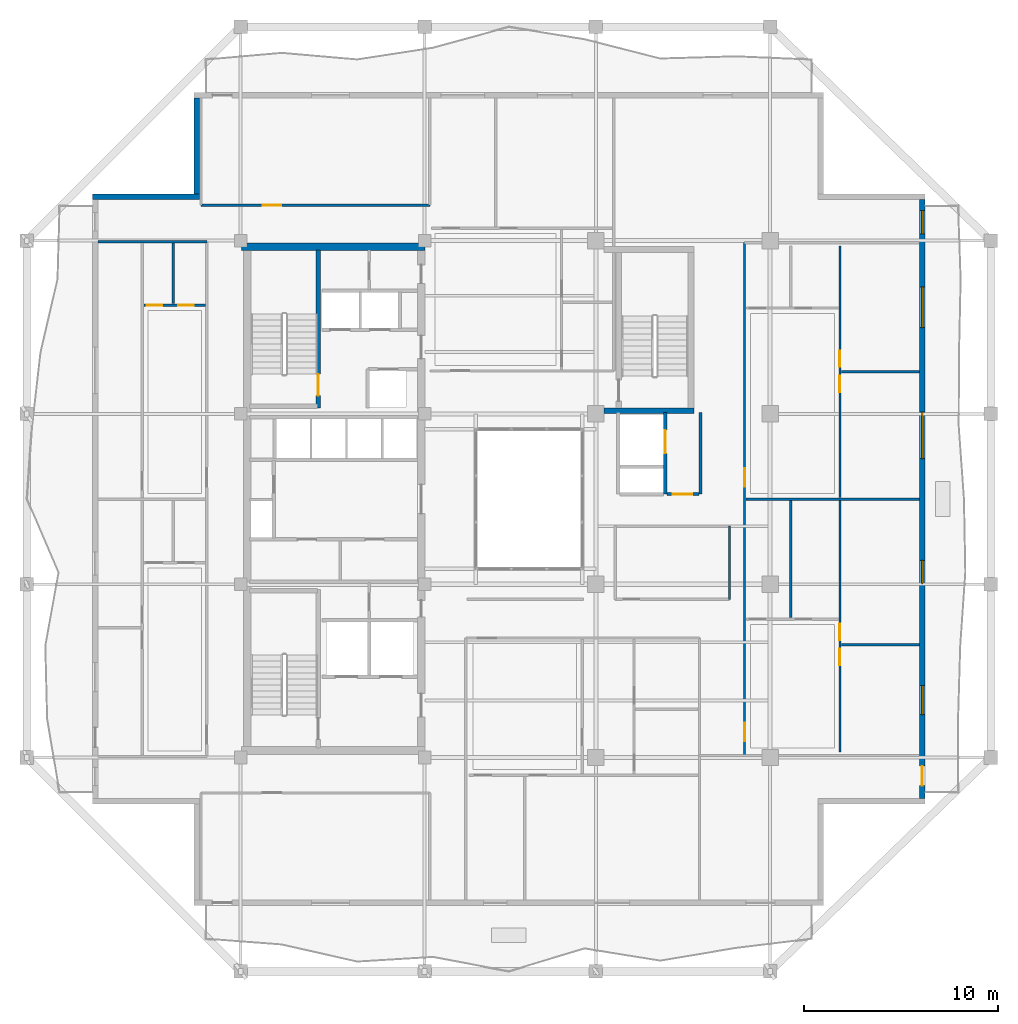
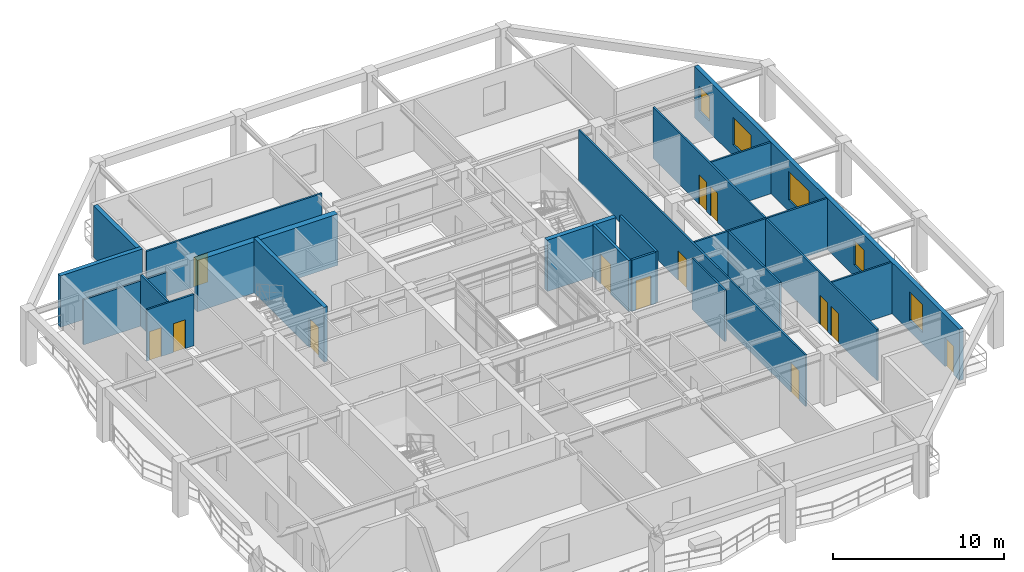
# One storey, part 8 of 15: 21 walls, 13 doors, 5 windows, 18 openings.
"""IFC4 building model written with IfcOpenShell, lengths in metres."""

from ifc_helpers import new_model, si_unit, direction, frame, frame_2d, origin, place, context, subcontext, project, spatial, rectangle, extrude, material, layer, layer_set, type_object, element, fill, save


model = new_model("IFC4")

# Units and contexts
model_context = context("Model", 3, precision=1e-05, world=origin(), true_north=direction((0.0, 1.0)))
body_context = subcontext(model_context, "Body", "Model", "MODEL_VIEW")
ifc_project = project(units=[si_unit("LENGTHUNIT", "METRE"), si_unit("AREAUNIT", "SQUARE_METRE"), si_unit("VOLUMEUNIT", "CUBIC_METRE"), si_unit("PLANEANGLEUNIT", "RADIAN"), si_unit("MASSUNIT", "GRAM", prefix="KILO")], contexts=[model_context])

# Site, building, storey
site_placement = place(None, origin())
site = spatial("IfcSite", under=ifc_project, at=site_placement, CompositionType="ELEMENT")
building_placement = place(site_placement, origin())
building = spatial("IfcBuilding", under=site, at=building_placement, Name="Kundavana Baori Tower", CompositionType="ELEMENT")
storey_placement = place(building_placement, frame((0.0, 0.0, 214.10009765625)))
storey = spatial("IfcBuildingStorey", under=building, at=storey_placement, Name="L52", CompositionType="ELEMENT", Elevation=214.10009765625)

# Wall
ifc_material_1 = material(Name="Concrete C50/60", Category="concrete")
ifc_layer_1 = layer(ifc_material_1, 0.39990234375, Name="WL-CORE-400")
ifc_layer_set_1 = layer_set([ifc_layer_1], Name="Concrete C50/60")
wall_type_1 = type_object("IfcWallType", Name="WL-CORE-400", PredefinedType="SHEAR", material=ifc_layer_set_1)
wall_1_placement = place(storey_placement, frame((15.5, 41.639892578125, 0.0), z_axis=(0.0, 0.0, 1.0), x_axis=(1.0, 0.0, 0.0)))
element("IfcWall", 1, at=wall_1_placement, inside=storey, type_object=wall_type_1, Name="L52 Offset Core North Shear Wall", PredefinedType="SHEAR", context=body_context, shape_type="SweptSolid", body=[
    extrude(rectangle(XDim=9.47998046875, YDim=0.39990234375, at=frame_2d((4.739990234375, 0.0))), origin(), (0.0, 0.0, 1.0), 3.659912109375),
])

# Wall, opening, door
wall_2_placement = place(storey_placement, frame((19.4599609375, 33.300048828125, 0.0), z_axis=(0.0, 0.0, 1.0), x_axis=(0.0, 1.0, 0.0)))
wall_2 = element("IfcWall", 2, at=wall_2_placement, inside=storey, type_object=wall_type_1, Name="WL-L52-ST2-E", PredefinedType="SHEAR", context=body_context, shape_type="SweptSolid", body=[
    extrude(rectangle(XDim=8.179931640625, YDim=0.239990234375, at=frame_2d((4.08984375, 0.0))), origin(), (0.0, 0.0, 1.0), 3.89990234375),
])
opening_1_placement = place(wall_2_placement, frame((0.64990234375, 0.0, 0.0)))
opening_1 = element("IfcOpeningElement", 3, at=opening_1_placement, cuts=wall_2, Name="Opening FD-110", PredefinedType="OPENING", context=body_context, shape_type="SweptSolid", body=[
    extrude(rectangle(XDim=1.10009765625, YDim=2.10009765625, at=frame_2d((0.550048828125, 1.050048828125))), frame((0.0, 0.1298828125, 0.0), z_axis=(0.0, -1.0, 0.0), x_axis=(1.0, 0.0, 0.0)), (0.0, 0.0, 1.0), 0.260009765625),
])
ifc_material_2 = material(Name="Galvanised Steel Fire-Rated Door Leaf", Category="steel")
door_type_1 = type_object("IfcDoorType", Name="DR-FD120-1100", OperationType="NOTDEFINED", PredefinedType="DOOR", material=ifc_material_2)
door_1_placement = place(opening_1_placement, origin())
door_1 = element("IfcDoor", 4, at=door_1_placement, inside=storey, type_object=door_type_1, Name="DR-L52-ST2", OperationType="SINGLE_SWING_RIGHT", OverallHeight=2.10009765625, OverallWidth=1.10009765625, PredefinedType="DOOR", context=body_context, shape_type="SweptSolid", body=[
    extrude(rectangle(XDim=1.10009765625, YDim=2.10009765625, at=frame_2d((0.550048828125, 1.050048828125))), frame((0.0, 0.02490234375, 0.0), z_axis=(0.0, -1.0, 0.0), x_axis=(1.0, 0.0, 0.0)), (0.0, 0.0, 1.0), 0.050048828125),
])
fill(opening_1, door_1)

# Wall, openings, door, windows
ifc_material_3 = material(Name="Red-Buff Dholpur Sandstone Cladding on Concrete C40/50", Category="masonry")
ifc_layer_2 = layer(ifc_material_3, 0.280029296875, Name="WL-EXT-SAND-280")
ifc_layer_set_2 = layer_set([ifc_layer_2], Name="Red-Buff Dholpur Sandstone Cladding on Concrete C40/50")
wall_type_2 = type_object("IfcWallType", Name="WL-EXT-SAND-280", PredefinedType="STANDARD", material=ifc_layer_set_2)
wall_3_placement = place(storey_placement, frame((50.659912109375, 13.1298828125, 0.0), z_axis=(0.0, 0.0, 1.0), x_axis=(0.0, 1.0, 0.0)))
wall_3 = element("IfcWall", 5, at=wall_3_placement, inside=storey, type_object=wall_type_2, Name="L52 Exterior Insulated Facade Wall 04", PredefinedType="STANDARD", context=body_context, shape_type="SweptSolid", body=[
    extrude(rectangle(XDim=30.940185546875, YDim=0.280029296875, at=frame_2d((15.47021484375, 0.0))), origin(), (0.0, 0.0, 1.0), 3.659912109375),
])
opening_2_placement = place(wall_3_placement, frame((0.669921875, 0.0, 0.0)))
opening_2 = element("IfcOpeningElement", 6, at=opening_2_placement, cuts=wall_3, Name="Opening BD-1", PredefinedType="OPENING", context=body_context, shape_type="SweptSolid", body=[
    extrude(rectangle(XDim=1.0, YDim=2.050048828125, at=frame_2d((0.5, 1.02490234375))), frame((0.0, 0.14990234375, 0.0), z_axis=(0.0, -1.0, 0.0), x_axis=(1.0, 0.0, 0.0)), (0.0, 0.0, 1.0), 0.300048828125),
])
opening_3_placement = place(wall_3_placement, frame((4.330078125, 0.0, 0.800048828125)))
opening_3 = element("IfcOpeningElement", 7, at=opening_3_placement, cuts=wall_3, Name="Opening W-02", PredefinedType="OPENING", context=body_context, shape_type="SweptSolid", body=[
    extrude(rectangle(XDim=1.5, YDim=2.0, at=frame_2d((0.75, 1.0))), frame((0.0, 0.14990234375, 0.0), z_axis=(0.0, -1.0, 0.0), x_axis=(1.0, 0.0, 0.0)), (0.0, 0.0, 1.0), 0.300048828125),
])
opening_4_placement = place(wall_3_placement, frame((11.10498046875, 0.0, 0.800048828125)))
opening_4 = element("IfcOpeningElement", 8, at=opening_4_placement, cuts=wall_3, Name="Opening W-03", PredefinedType="OPENING", context=body_context, shape_type="SweptSolid", body=[
    extrude(rectangle(XDim=1.199951171875, YDim=1.75, at=frame_2d((0.60009765625, 0.875))), frame((0.0, 0.14990234375, 0.0), z_axis=(0.0, -1.0, 0.0), x_axis=(1.0, 0.0, 0.0)), (0.0, 0.0, 1.0), 0.300048828125),
])
opening_5_placement = place(wall_3_placement, frame((17.55810546875, 0.0, 0.800048828125)))
opening_5 = element("IfcOpeningElement", 9, at=opening_5_placement, cuts=wall_3, Name="Opening W-04", PredefinedType="OPENING", context=body_context, shape_type="SweptSolid", body=[
    extrude(rectangle(XDim=2.39990234375, YDim=2.050048828125, at=frame_2d((1.199951171875, 1.02490234375))), frame((0.0, 0.14990234375, 0.0), z_axis=(0.0, -1.0, 0.0), x_axis=(1.0, 0.0, 0.0)), (0.0, 0.0, 1.0), 0.300048828125),
])
opening_6_placement = place(wall_3_placement, frame((24.33203125, 0.0, 0.800048828125)))
opening_6 = element("IfcOpeningElement", 10, at=opening_6_placement, cuts=wall_3, Name="Opening W-05", PredefinedType="OPENING", context=body_context, shape_type="SweptSolid", body=[
    extrude(rectangle(XDim=2.10009765625, YDim=1.949951171875, at=frame_2d((1.050048828125, 0.97509765625))), frame((0.0, 0.14990234375, 0.0), z_axis=(0.0, -1.0, 0.0), x_axis=(1.0, 0.0, 0.0)), (0.0, 0.0, 1.0), 0.300048828125),
])
opening_7_placement = place(wall_3_placement, frame((29.175048828125, 0.0, 0.800048828125)))
opening_7 = element("IfcOpeningElement", 11, at=opening_7_placement, cuts=wall_3, Name="Opening W-03", PredefinedType="OPENING", context=body_context, shape_type="SweptSolid", body=[
    extrude(rectangle(XDim=1.199951171875, YDim=1.75, at=frame_2d((0.60009765625, 0.875))), frame((0.0, 0.14990234375, 0.0), z_axis=(0.0, -1.0, 0.0), x_axis=(1.0, 0.0, 0.0)), (0.0, 0.0, 1.0), 0.300048828125),
])
ifc_material_4 = material(Name="Architectural Patinated Bronze Metalwork")
door_type_2 = type_object("IfcDoorType", Name="DR-EXT-LOG-1000", OperationType="NOTDEFINED", PredefinedType="DOOR", material=ifc_material_4)
door_2_placement = place(opening_2_placement, frame((1.0, 0.0, 0.0), z_axis=(0.0, 0.0, 1.0), x_axis=(-1.0, 0.0, 0.0)))
door_2 = element("IfcDoor", 12, at=door_2_placement, inside=storey, type_object=door_type_2, Name="L52 Loggia Balcony Access Door E", OperationType="SINGLE_SWING_RIGHT", OverallHeight=2.050048828125, OverallWidth=1.0, PredefinedType="DOOR", context=body_context, shape_type="SweptSolid", body=[
    extrude(rectangle(XDim=1.0, YDim=2.050048828125, at=frame_2d((0.5, 1.02490234375))), frame((0.0, 0.02490234375, 0.0), z_axis=(0.0, -1.0, 0.0), x_axis=(1.0, 0.0, 0.0)), (0.0, 0.0, 1.0), 0.050048828125),
])
fill(opening_2, door_2)
ifc_material_5 = material(Name="Double-Glazed Solar-Control Low-E Insulated Glass", Category="glass")
window_type_1 = type_object("IfcWindowType", Name="WIN-LOG-1200x1750", PartitioningType="SINGLE_PANEL", PredefinedType="WINDOW", material=ifc_material_5)
window_1_placement = place(opening_4_placement, origin())
window_1 = element("IfcWindow", 13, at=window_1_placement, inside=storey, type_object=window_type_1, Name="L52 Recessed Loggia Window E-3", OverallHeight=1.75, OverallWidth=1.199951171875, PartitioningType="SINGLE_PANEL", PredefinedType="WINDOW", context=body_context, shape_type="SweptSolid", body=[
    extrude(rectangle(XDim=1.199951171875, YDim=1.75, at=frame_2d((0.60009765625, 0.875))), frame((0.0, 0.030029296875, 0.0), z_axis=(0.0, -1.0, 0.0), x_axis=(1.0, 0.0, 0.0)), (0.0, 0.0, 1.0), 0.06005859375),
])
fill(opening_4, window_1)
window_2_placement = place(opening_7_placement, origin())
window_2 = element("IfcWindow", 14, at=window_2_placement, inside=storey, type_object=window_type_1, Name="L52 Recessed Loggia Window E-6", OverallHeight=1.75, OverallWidth=1.199951171875, PartitioningType="SINGLE_PANEL", PredefinedType="WINDOW", context=body_context, shape_type="SweptSolid", body=[
    extrude(rectangle(XDim=1.199951171875, YDim=1.75, at=frame_2d((0.60009765625, 0.875))), frame((0.0, 0.030029296875, 0.0), z_axis=(0.0, -1.0, 0.0), x_axis=(1.0, 0.0, 0.0)), (0.0, 0.0, 1.0), 0.06005859375),
])
fill(opening_7, window_2)
ifc_material_6 = material(Name="Double-Glazed Solar-Control Low-E Insulated Glass", Category="glass")
window_type_2 = type_object("IfcWindowType", Name="WIN-LOG-1500x2000", PartitioningType="SINGLE_PANEL", PredefinedType="WINDOW", material=ifc_material_6)
window_3_placement = place(opening_3_placement, origin())
window_3 = element("IfcWindow", 15, at=window_3_placement, inside=storey, type_object=window_type_2, Name="L52 Recessed Loggia Window E-2", OverallHeight=2.0, OverallWidth=1.5, PartitioningType="SINGLE_PANEL", PredefinedType="WINDOW", context=body_context, shape_type="SweptSolid", body=[
    extrude(rectangle(XDim=1.5, YDim=2.0, at=frame_2d((0.75, 1.0))), frame((0.0, 0.030029296875, 0.0), z_axis=(0.0, -1.0, 0.0), x_axis=(1.0, 0.0, 0.0)), (0.0, 0.0, 1.0), 0.06005859375),
])
fill(opening_3, window_3)
ifc_material_7 = material(Name="Double-Glazed Solar-Control Low-E Insulated Glass", Category="glass")
window_type_3 = type_object("IfcWindowType", Name="WIN-LOG-2100x1950", PartitioningType="SINGLE_PANEL", PredefinedType="WINDOW", material=ifc_material_7)
window_4_placement = place(opening_6_placement, origin())
window_4 = element("IfcWindow", 16, at=window_4_placement, inside=storey, type_object=window_type_3, Name="L52 Recessed Loggia Window E-5", OverallHeight=1.949951171875, OverallWidth=2.10009765625, PartitioningType="SINGLE_PANEL", PredefinedType="WINDOW", context=body_context, shape_type="SweptSolid", body=[
    extrude(rectangle(XDim=2.10009765625, YDim=1.949951171875, at=frame_2d((1.050048828125, 0.97509765625))), frame((0.0, 0.030029296875, 0.0), z_axis=(0.0, -1.0, 0.0), x_axis=(1.0, 0.0, 0.0)), (0.0, 0.0, 1.0), 0.06005859375),
])
fill(opening_6, window_4)
ifc_material_8 = material(Name="Double-Glazed Solar-Control Low-E Insulated Glass", Category="glass")
window_type_4 = type_object("IfcWindowType", Name="WIN-LOG-2400x2050", PartitioningType="SINGLE_PANEL", PredefinedType="WINDOW", material=ifc_material_8)
window_5_placement = place(opening_5_placement, origin())
window_5 = element("IfcWindow", 17, at=window_5_placement, inside=storey, type_object=window_type_4, Name="L52 Recessed Loggia Window E-4", OverallHeight=2.050048828125, OverallWidth=2.39990234375, PartitioningType="SINGLE_PANEL", PredefinedType="WINDOW", context=body_context, shape_type="SweptSolid", body=[
    extrude(rectangle(XDim=2.39990234375, YDim=2.050048828125, at=frame_2d((1.199951171875, 1.02490234375))), frame((0.0, 0.030029296875, 0.0), z_axis=(0.0, -1.0, 0.0), x_axis=(1.0, 0.0, 0.0)), (0.0, 0.0, 1.0), 0.06005859375),
])
fill(opening_5, window_5)

# Walls
wall_4_placement = place(storey_placement, frame((13.18994140625, 49.320068359375, 0.0), z_axis=(0.0, 0.0, 1.0), x_axis=(0.0, -1.0, 0.0)))
element("IfcWall", 18, at=wall_4_placement, inside=storey, type_object=wall_type_2, Name="L52 Exterior Insulated Facade Wall 08", PredefinedType="STANDARD", context=body_context, shape_type="SweptSolid", body=[
    extrude(rectangle(XDim=4.969970703125, YDim=0.280029296875, at=frame_2d((2.48486328125, 0.0))), origin(), (0.0, 0.0, 1.0), 3.659912109375),
])
wall_5_placement = place(storey_placement, frame((13.330078125, 44.2099609375, 0.0), z_axis=(0.0, 0.0, 1.0), x_axis=(-1.0, 0.0, 0.0)))
element("IfcWall", 19, at=wall_5_placement, inside=storey, type_object=wall_type_2, Name="L52 Exterior Insulated Facade Wall 09", PredefinedType="STANDARD", context=body_context, shape_type="SweptSolid", body=[
    extrude(rectangle(XDim=5.530029296875, YDim=0.280029296875, at=frame_2d((2.76513671875, 0.0))), origin(), (0.0, 0.0, 1.0), 3.659912109375),
])

# Wall, opening, door
ifc_material_9 = material(Name="Acoustic Gypsum Plasterboard on Galvanised Steel Studs", Category="steel")
ifc_layer_3 = layer(ifc_material_9, 0.1201171875, Name="WL-PART-120")
ifc_layer_set_3 = layer_set([ifc_layer_3], Name="Acoustic Gypsum Plasterboard on Galvanised Steel Studs")
wall_type_3 = type_object("IfcWallType", Name="WL-PART-120", PredefinedType="PARTITIONING", material=ifc_layer_set_3)
wall_6_placement = place(storey_placement, frame((13.39990234375, 43.780029296875, 0.0), z_axis=(0.0, 0.0, 1.0), x_axis=(1.0, 0.0, 0.0)))
wall_6 = element("IfcWall", 20, at=wall_6_placement, inside=storey, type_object=wall_type_3, Name="WL-L52-RNC", PredefinedType="PARTITIONING", context=body_context, shape_type="SweptSolid", body=[
    extrude(rectangle(XDim=11.820068359375, YDim=0.1201171875, at=frame_2d((5.91015625, 0.0))), origin(), (0.0, 0.0, 1.0), 3.659912109375),
])
opening_8_placement = place(wall_6_placement, frame((3.199951171875, 0.0, 0.0)))
opening_8 = element("IfcOpeningElement", 21, at=opening_8_placement, cuts=wall_6, Name="Opening ID-095", PredefinedType="OPENING", context=body_context, shape_type="SweptSolid", body=[
    extrude(rectangle(XDim=0.949951171875, YDim=2.080078125, at=frame_2d((0.47509765625, 1.0400390625))), frame((0.0, 0.070068359375, 0.0), z_axis=(0.0, -1.0, 0.0), x_axis=(1.0, 0.0, 0.0)), (0.0, 0.0, 1.0), 0.14013671875),
])
ifc_material_10 = material(Name="Engineered Teak Solid-Core Timber Veneer", Category="wood")
door_type_3 = type_object("IfcDoorType", Name="DR-INT-950", OperationType="NOTDEFINED", PredefinedType="DOOR", material=ifc_material_10)
door_3_placement = place(opening_8_placement, origin())
door_3 = element("IfcDoor", 22, at=door_3_placement, inside=storey, type_object=door_type_3, Name="DR-L52-RMNW", OperationType="SINGLE_SWING_RIGHT", OverallHeight=2.080078125, OverallWidth=0.949951171875, PredefinedType="DOOR", context=body_context, shape_type="SweptSolid", body=[
    extrude(rectangle(XDim=0.949951171875, YDim=2.080078125, at=frame_2d((0.47509765625, 1.0400390625))), frame((0.0, 0.02490234375, 0.0), z_axis=(0.0, -1.0, 0.0), x_axis=(1.0, 0.0, 0.0)), (0.0, 0.0, 1.0), 0.050048828125),
])
fill(opening_8, door_3)

# Wall
wall_7_placement = place(storey_placement, frame((8.080078125, 41.89990234375, 0.0), z_axis=(0.0, 0.0, 1.0), x_axis=(1.0, 0.0, 0.0)))
element("IfcWall", 23, at=wall_7_placement, inside=storey, type_object=wall_type_3, Name="WL-L52-RWN", PredefinedType="PARTITIONING", context=body_context, shape_type="SweptSolid", body=[
    extrude(rectangle(XDim=5.619873046875, YDim=0.1201171875, at=frame_2d((2.81005859375, 0.0))), origin(), (0.0, 0.0, 1.0), 3.2099609375),
])

# Wall, openings, doors
wall_8_placement = place(storey_placement, frame((41.47998046875, 15.35009765625, 0.0), z_axis=(0.0, 0.0, 1.0), x_axis=(0.0, 1.0, 0.0)))
wall_8 = element("IfcWall", 24, at=wall_8_placement, inside=storey, type_object=wall_type_3, Name="WL-L52-RE", PredefinedType="PARTITIONING", context=body_context, shape_type="SweptSolid", body=[
    extrude(rectangle(XDim=26.5, YDim=0.1201171875, at=frame_2d((13.25, 0.0))), origin(), (0.0, 0.0, 1.0), 3.659912109375),
])
opening_9_placement = place(wall_8_placement, frame((0.75, 0.0, 0.0)))
opening_9 = element("IfcOpeningElement", 25, at=opening_9_placement, cuts=wall_8, Name="Opening FD-095", PredefinedType="OPENING", context=body_context, shape_type="SweptSolid", body=[
    extrude(rectangle(XDim=0.949951171875, YDim=2.10009765625, at=frame_2d((0.47509765625, 1.050048828125))), frame((0.0, 0.070068359375, 0.0), z_axis=(0.0, -1.0, 0.0), x_axis=(1.0, 0.0, 0.0)), (0.0, 0.0, 1.0), 0.14013671875),
])
opening_10_placement = place(wall_8_placement, frame((13.89990234375, 0.0, 0.0)))
opening_10 = element("IfcOpeningElement", 26, at=opening_10_placement, cuts=wall_8, Name="Opening FD-095", PredefinedType="OPENING", context=body_context, shape_type="SweptSolid", body=[
    extrude(rectangle(XDim=0.949951171875, YDim=2.10009765625, at=frame_2d((0.47509765625, 1.050048828125))), frame((0.0, 0.070068359375, 0.0), z_axis=(0.0, -1.0, 0.0), x_axis=(1.0, 0.0, 0.0)), (0.0, 0.0, 1.0), 0.14013671875),
])
ifc_material_11 = material(Name="Engineered Teak Fire-Rated Timber Door Leaf", Category="wood")
door_type_4 = type_object("IfcDoorType", Name="DR-FD60-950", OperationType="NOTDEFINED", PredefinedType="DOOR", material=ifc_material_11)
door_4_placement = place(opening_9_placement, origin())
door_4 = element("IfcDoor", 27, at=door_4_placement, inside=storey, type_object=door_type_4, Name="DR-L52-E1-ENT", OperationType="SINGLE_SWING_LEFT", OverallHeight=2.10009765625, OverallWidth=0.949951171875, PredefinedType="DOOR", context=body_context, shape_type="SweptSolid", body=[
    extrude(rectangle(XDim=0.949951171875, YDim=2.10009765625, at=frame_2d((0.47509765625, 1.050048828125))), frame((0.0, 0.02490234375, 0.0), z_axis=(0.0, -1.0, 0.0), x_axis=(1.0, 0.0, 0.0)), (0.0, 0.0, 1.0), 0.050048828125),
])
fill(opening_9, door_4)
door_5_placement = place(opening_10_placement, origin())
door_5 = element("IfcDoor", 28, at=door_5_placement, inside=storey, type_object=door_type_4, Name="DR-L52-E2-ENT", OperationType="SINGLE_SWING_LEFT", OverallHeight=2.10009765625, OverallWidth=0.949951171875, PredefinedType="DOOR", context=body_context, shape_type="SweptSolid", body=[
    extrude(rectangle(XDim=0.949951171875, YDim=2.10009765625, at=frame_2d((0.47509765625, 1.050048828125))), frame((0.0, 0.02490234375, 0.0), z_axis=(0.0, -1.0, 0.0), x_axis=(1.0, 0.0, 0.0)), (0.0, 0.0, 1.0), 0.050048828125),
])
fill(opening_10, door_5)

wall_9_placement = place(storey_placement, frame((46.407958984375, 15.530029296875, 0.0), z_axis=(0.0, 0.0, 1.0), x_axis=(0.0, 1.0, 0.0)))
wall_9 = element("IfcWall", 29, at=wall_9_placement, inside=storey, type_object=wall_type_3, Name="WL-L52-E1-VT", PredefinedType="PARTITIONING", context=body_context, shape_type="SweptSolid", body=[
    extrude(rectangle(XDim=12.989990234375, YDim=0.1201171875, at=frame_2d((6.4951171875, 0.0))), origin(), (0.0, 0.0, 1.0), 3.659912109375),
])
opening_11_placement = place(wall_9_placement, frame((4.489990234375, 0.0, 0.0)))
opening_11 = element("IfcOpeningElement", 30, at=opening_11_placement, cuts=wall_9, Name="Opening ID-085", PredefinedType="OPENING", context=body_context, shape_type="SweptSolid", body=[
    extrude(rectangle(XDim=0.85009765625, YDim=2.080078125, at=frame_2d((0.425048828125, 1.0400390625))), frame((0.0, 0.070068359375, 0.0), z_axis=(0.0, -1.0, 0.0), x_axis=(1.0, 0.0, 0.0)), (0.0, 0.0, 1.0), 0.14013671875),
])
opening_12_placement = place(wall_9_placement, frame((5.7900390625, 0.0, 0.0)))
opening_12 = element("IfcOpeningElement", 31, at=opening_12_placement, cuts=wall_9, Name="Opening ID-085", PredefinedType="OPENING", context=body_context, shape_type="SweptSolid", body=[
    extrude(rectangle(XDim=0.85009765625, YDim=2.080078125, at=frame_2d((0.425048828125, 1.0400390625))), frame((0.0, 0.070068359375, 0.0), z_axis=(0.0, -1.0, 0.0), x_axis=(1.0, 0.0, 0.0)), (0.0, 0.0, 1.0), 0.14013671875),
])
ifc_material_12 = material(Name="Engineered Teak Solid-Core Timber Veneer", Category="wood")
door_type_5 = type_object("IfcDoorType", Name="DR-INT-850", OperationType="NOTDEFINED", PredefinedType="DOOR", material=ifc_material_12)
door_6_placement = place(opening_11_placement, origin())
door_6 = element("IfcDoor", 32, at=door_6_placement, inside=storey, type_object=door_type_5, Name="DR-L52-E1-B1", OperationType="SINGLE_SWING_LEFT", OverallHeight=2.080078125, OverallWidth=0.85009765625, PredefinedType="DOOR", context=body_context, shape_type="SweptSolid", body=[
    extrude(rectangle(XDim=0.85009765625, YDim=2.080078125, at=frame_2d((0.425048828125, 1.0400390625))), frame((0.0, 0.02490234375, 0.0), z_axis=(0.0, -1.0, 0.0), x_axis=(1.0, 0.0, 0.0)), (0.0, 0.0, 1.0), 0.050048828125),
])
fill(opening_11, door_6)
door_7_placement = place(opening_12_placement, origin())
door_7 = element("IfcDoor", 33, at=door_7_placement, inside=storey, type_object=door_type_5, Name="DR-L52-E1-B2", OperationType="SINGLE_SWING_RIGHT", OverallHeight=2.080078125, OverallWidth=0.85009765625, PredefinedType="DOOR", context=body_context, shape_type="SweptSolid", body=[
    extrude(rectangle(XDim=0.85009765625, YDim=2.080078125, at=frame_2d((0.425048828125, 1.0400390625))), frame((0.0, 0.02490234375, 0.0), z_axis=(0.0, -1.0, 0.0), x_axis=(1.0, 0.0, 0.0)), (0.0, 0.0, 1.0), 0.050048828125),
])
fill(opening_12, door_7)

# Walls
wall_10_placement = place(storey_placement, frame((46.488037109375, 21.070068359375, 0.0), z_axis=(0.0, 0.0, 1.0), x_axis=(1.0, 0.0, 0.0)))
element("IfcWall", 34, at=wall_10_placement, inside=storey, type_object=wall_type_3, Name="WL-L52-E1-BDH", PredefinedType="PARTITIONING", context=body_context, shape_type="SweptSolid", body=[
    extrude(rectangle(XDim=4.031982421875, YDim=0.1201171875, at=frame_2d((2.01611328125, 0.0))), origin(), (0.0, 0.0, 1.0), 3.659912109375),
])
wall_11_placement = place(storey_placement, frame((41.56005859375, 28.60009765625, 0.0), z_axis=(0.0, 0.0, 1.0), x_axis=(1.0, 0.0, 0.0)))
element("IfcWall", 35, at=wall_11_placement, inside=storey, type_object=wall_type_3, Name="WL-L52-RED1", PredefinedType="PARTITIONING", context=body_context, shape_type="SweptSolid", body=[
    extrude(rectangle(XDim=8.9599609375, YDim=0.1201171875, at=frame_2d((4.47998046875, 0.0))), origin(), (0.0, 0.0, 1.0), 3.659912109375),
])

# Wall, openings, doors
wall_12_placement = place(storey_placement, frame((46.407958984375, 28.679931640625, 0.0), z_axis=(0.0, 0.0, 1.0), x_axis=(0.0, 1.0, 0.0)))
wall_12 = element("IfcWall", 36, at=wall_12_placement, inside=storey, type_object=wall_type_3, Name="WL-L52-E2-VT", PredefinedType="PARTITIONING", context=body_context, shape_type="SweptSolid", body=[
    extrude(rectangle(XDim=12.989990234375, YDim=0.1201171875, at=frame_2d((6.4951171875, 0.0))), origin(), (0.0, 0.0, 1.0), 3.659912109375),
])
opening_13_placement = place(wall_12_placement, frame((5.445068359375, 0.0, 0.0)))
opening_13 = element("IfcOpeningElement", 37, at=opening_13_placement, cuts=wall_12, Name="Opening ID-085", PredefinedType="OPENING", context=body_context, shape_type="SweptSolid", body=[
    extrude(rectangle(XDim=0.85009765625, YDim=2.080078125, at=frame_2d((0.425048828125, 1.0400390625))), frame((0.0, 0.070068359375, 0.0), z_axis=(0.0, -1.0, 0.0), x_axis=(1.0, 0.0, 0.0)), (0.0, 0.0, 1.0), 0.14013671875),
])
opening_14_placement = place(wall_12_placement, frame((6.7451171875, 0.0, 0.0)))
opening_14 = element("IfcOpeningElement", 38, at=opening_14_placement, cuts=wall_12, Name="Opening ID-085", PredefinedType="OPENING", context=body_context, shape_type="SweptSolid", body=[
    extrude(rectangle(XDim=0.85009765625, YDim=2.080078125, at=frame_2d((0.425048828125, 1.0400390625))), frame((0.0, 0.070068359375, 0.0), z_axis=(0.0, -1.0, 0.0), x_axis=(1.0, 0.0, 0.0)), (0.0, 0.0, 1.0), 0.14013671875),
])
door_8_placement = place(opening_13_placement, origin())
door_8 = element("IfcDoor", 39, at=door_8_placement, inside=storey, type_object=door_type_5, Name="DR-L52-E2-B1", OperationType="SINGLE_SWING_LEFT", OverallHeight=2.080078125, OverallWidth=0.85009765625, PredefinedType="DOOR", context=body_context, shape_type="SweptSolid", body=[
    extrude(rectangle(XDim=0.85009765625, YDim=2.080078125, at=frame_2d((0.425048828125, 1.0400390625))), frame((0.0, 0.02490234375, 0.0), z_axis=(0.0, -1.0, 0.0), x_axis=(1.0, 0.0, 0.0)), (0.0, 0.0, 1.0), 0.050048828125),
])
fill(opening_13, door_8)
door_9_placement = place(opening_14_placement, origin())
door_9 = element("IfcDoor", 40, at=door_9_placement, inside=storey, type_object=door_type_5, Name="DR-L52-E2-B2", OperationType="SINGLE_SWING_RIGHT", OverallHeight=2.080078125, OverallWidth=0.85009765625, PredefinedType="DOOR", context=body_context, shape_type="SweptSolid", body=[
    extrude(rectangle(XDim=0.85009765625, YDim=2.080078125, at=frame_2d((0.425048828125, 1.0400390625))), frame((0.0, 0.02490234375, 0.0), z_axis=(0.0, -1.0, 0.0), x_axis=(1.0, 0.0, 0.0)), (0.0, 0.0, 1.0), 0.050048828125),
])
fill(opening_14, door_9)

# Walls
wall_13_placement = place(storey_placement, frame((46.488037109375, 35.175048828125, 0.0), z_axis=(0.0, 0.0, 1.0), x_axis=(1.0, 0.0, 0.0)))
element("IfcWall", 41, at=wall_13_placement, inside=storey, type_object=wall_type_3, Name="WL-L52-E2-BDH", PredefinedType="PARTITIONING", context=body_context, shape_type="SweptSolid", body=[
    extrude(rectangle(XDim=4.031982421875, YDim=0.1201171875, at=frame_2d((2.01611328125, 0.0))), origin(), (0.0, 0.0, 1.0), 3.659912109375),
])
wall_14_placement = place(storey_placement, frame((40.699951171875, 23.419921875, 0.0), z_axis=(0.0, 0.0, 1.0), x_axis=(0.0, 1.0, 0.0)))
element("IfcWall", 42, at=wall_14_placement, inside=storey, type_object=wall_type_3, Name="WL-L52-ALE", PredefinedType="PARTITIONING", context=body_context, shape_type="SweptSolid", body=[
    extrude(rectangle(XDim=3.780029296875, YDim=0.1201171875, at=frame_2d((1.89013671875, 0.0))), origin(), (0.0, 0.0, 1.0), 3.659912109375),
])
ifc_material_13 = material(Name="Fire-Rated Gypsum Drywall on Galvanised Steel Studs", Category="steel")
ifc_layer_4 = layer(ifc_material_13, 0.14990234375, Name="WL-PART-150")
ifc_layer_set_4 = layer_set([ifc_layer_4], Name="Fire-Rated Gypsum Drywall on Galvanised Steel Studs")
wall_type_4 = type_object("IfcWallType", Name="WL-PART-150", PredefinedType="PARTITIONING", material=ifc_layer_set_4)
wall_15_placement = place(storey_placement, frame((39.199951171875, 28.860107421875, 0.0), z_axis=(0.0, 0.0, 1.0), x_axis=(0.0, 1.0, 0.0)))
element("IfcWall", 43, at=wall_15_placement, inside=storey, type_object=wall_type_4, Name="WL-L52-SVLOB-E", PredefinedType="PARTITIONING", context=body_context, shape_type="SweptSolid", body=[
    extrude(rectangle(XDim=4.219970703125, YDim=0.14990234375, at=frame_2d((2.10986328125, 0.0))), origin(), (0.0, 0.0, 1.0), 3.659912109375),
])

# Wall, opening, door
wall_16_placement = place(storey_placement, frame((37.47998046875, 28.860107421875, 0.0), z_axis=(0.0, 0.0, 1.0), x_axis=(1.0, 0.0, 0.0)))
wall_16 = element("IfcWall", 44, at=wall_16_placement, inside=storey, type_object=wall_type_4, Name="WL-L52-SVLOB-S", PredefinedType="PARTITIONING", context=body_context, shape_type="SweptSolid", body=[
    extrude(rectangle(XDim=1.64013671875, YDim=0.14990234375, at=frame_2d((0.820068359375, 0.0))), origin(), (0.0, 0.0, 1.0), 3.659912109375),
])
opening_15_placement = place(wall_16_placement, frame((0.300048828125, 0.0, 0.0)))
opening_15 = element("IfcOpeningElement", 45, at=opening_15_placement, cuts=wall_16, Name="Opening FD-100", PredefinedType="OPENING", context=body_context, shape_type="SweptSolid", body=[
    extrude(rectangle(XDim=1.0, YDim=2.10009765625, at=frame_2d((0.5, 1.050048828125))), frame((0.0, 0.0849609375, 0.0), z_axis=(0.0, -1.0, 0.0), x_axis=(1.0, 0.0, 0.0)), (0.0, 0.0, 1.0), 0.169921875),
])
ifc_material_14 = material(Name="Engineered Teak Fire-Rated Timber Door Leaf", Category="wood")
door_type_6 = type_object("IfcDoorType", Name="DR-FD60-1000", OperationType="NOTDEFINED", PredefinedType="DOOR", material=ifc_material_14)
door_10_placement = place(opening_15_placement, origin())
door_10 = element("IfcDoor", 46, at=door_10_placement, inside=storey, type_object=door_type_6, Name="DR-L52-SVLOB-OUT", OperationType="SINGLE_SWING_LEFT", OverallHeight=2.10009765625, OverallWidth=1.0, PredefinedType="DOOR", context=body_context, shape_type="SweptSolid", body=[
    extrude(rectangle(XDim=1.0, YDim=2.10009765625, at=frame_2d((0.5, 1.050048828125))), frame((0.0, 0.02490234375, 0.0), z_axis=(0.0, -1.0, 0.0), x_axis=(1.0, 0.0, 0.0)), (0.0, 0.0, 1.0), 0.050048828125),
])
fill(opening_15, door_10)

ifc_material_15 = material(Name="Autoclaved Aerated Concrete Blockwork Masonry", Category="masonry")
ifc_layer_5 = layer(ifc_material_15, 0.179931640625, Name="WL-SHAFT-180")
ifc_layer_set_5 = layer_set([ifc_layer_5], Name="Autoclaved Aerated Concrete Blockwork Masonry")
wall_type_5 = type_object("IfcWallType", Name="WL-SHAFT-180", PredefinedType="SOLIDWALL", material=ifc_layer_set_5)
wall_17_placement = place(storey_placement, frame((37.389892578125, 28.860107421875, 0.0), z_axis=(0.0, 0.0, 1.0), x_axis=(0.0, 1.0, 0.0)))
wall_17 = element("IfcWall", 47, at=wall_17_placement, inside=storey, type_object=wall_type_5, Name="WL-L52-SVL-E", PredefinedType="SOLIDWALL", context=body_context, shape_type="SweptSolid", body=[
    extrude(rectangle(XDim=4.219970703125, YDim=0.179931640625, at=frame_2d((2.10986328125, 0.0))), origin(), (0.0, 0.0, 1.0), 3.659912109375),
])
opening_16_placement = place(wall_17_placement, frame((2.10009765625, 0.0, 0.0)))
opening_16 = element("IfcOpeningElement", 48, at=opening_16_placement, cuts=wall_17, Name="Opening LD-120", PredefinedType="OPENING", context=body_context, shape_type="SweptSolid", body=[
    extrude(rectangle(XDim=1.199951171875, YDim=2.1201171875, at=frame_2d((0.60009765625, 1.06005859375))), frame((0.0, 0.10009765625, 0.0), z_axis=(0.0, -1.0, 0.0), x_axis=(1.0, 0.0, 0.0)), (0.0, 0.0, 1.0), 0.199951171875),
])
ifc_material_16 = material(Name="Galvanised Steel Fire-Rated Door Leaf", Category="steel")
door_type_7 = type_object("IfcDoorType", Name="DR-SLIDE-LD1200", OperationType="NOTDEFINED", PredefinedType="DOOR", material=ifc_material_16)
door_11_placement = place(opening_16_placement, frame((1.199951171875, 0.0, 0.0), z_axis=(0.0, 0.0, 1.0), x_axis=(-1.0, 0.0, 0.0)))
door_11 = element("IfcDoor", 49, at=door_11_placement, inside=storey, type_object=door_type_7, Name="DR-L52-LD-SVL1", OperationType="DOUBLE_DOOR_SLIDING", OverallHeight=2.1201171875, OverallWidth=1.199951171875, PredefinedType="DOOR", context=body_context, shape_type="SweptSolid", body=[
    extrude(rectangle(XDim=1.199951171875, YDim=2.1201171875, at=frame_2d((0.60009765625, 1.06005859375))), frame((0.0, 0.02490234375, 0.0), z_axis=(0.0, -1.0, 0.0), x_axis=(1.0, 0.0, 0.0)), (0.0, 0.0, 1.0), 0.050048828125),
])
fill(opening_16, door_11)

# Wall
ifc_material_17 = material(Name="Concrete C50/60", Category="concrete")
ifc_layer_6 = layer(ifc_material_17, 0.300048828125, Name="WL-ST3-300")
ifc_layer_set_6 = layer_set([ifc_layer_6], Name="Concrete C50/60")
wall_type_6 = type_object("IfcWallType", Name="WL-ST3-300", PredefinedType="SHEAR", material=ifc_layer_set_6)
wall_18_placement = place(storey_placement, frame((34.22509765625, 33.159912109375, 0.0), z_axis=(0.0, 0.0, 1.0), x_axis=(1.0, 0.0, 0.0)))
element("IfcWall", 50, at=wall_18_placement, inside=storey, type_object=wall_type_6, Name="L52 Stair ST3 South Shear Wall", PredefinedType="SHEAR", context=body_context, shape_type="SweptSolid", body=[
    extrude(rectangle(XDim=4.64501953125, YDim=0.300048828125, at=frame_2d((2.322509765625, 0.0))), origin(), (0.0, 0.0, 1.0), 3.659912109375),
])

# Wall, openings, doors
ifc_material_18 = material(Name="Autoclaved Aerated Concrete Blockwork Masonry", Category="masonry")
ifc_layer_7 = layer(ifc_material_18, 0.125, Name="WL-WET-120")
ifc_layer_set_7 = layer_set([ifc_layer_7], Name="Autoclaved Aerated Concrete Blockwork Masonry")
wall_type_7 = type_object("IfcWallType", Name="WL-WET-120", PredefinedType="PLUMBINGWALL", material=ifc_layer_set_7)
wall_19_placement = place(storey_placement, frame((10.449951171875, 38.6201171875, 0.0), z_axis=(0.0, 0.0, 1.0), x_axis=(1.0, 0.0, 0.0)))
wall_19 = element("IfcWall", 51, at=wall_19_placement, inside=storey, type_object=wall_type_7, Name="WL-L52-W2-KH", PredefinedType="PLUMBINGWALL", context=body_context, shape_type="SweptSolid", body=[
    extrude(rectangle(XDim=3.170166015625, YDim=0.125, at=frame_2d((1.5849609375, 0.0))), origin(), (0.0, 0.0, 1.0), 3.659912109375),
])
opening_17_placement = place(wall_19_placement, frame((0.159912109375, 0.0, 0.0)))
opening_17 = element("IfcOpeningElement", 52, at=opening_17_placement, cuts=wall_19, Name="Opening WD-080", PredefinedType="OPENING", context=body_context, shape_type="SweptSolid", body=[
    extrude(rectangle(XDim=0.800048828125, YDim=2.050048828125, at=frame_2d((0.39990234375, 1.02490234375))), frame((0.0, 0.072509765625, 0.0), z_axis=(0.0, -1.0, 0.0), x_axis=(1.0, 0.0, 0.0)), (0.0, 0.0, 1.0), 0.14501953125),
])
opening_18_placement = place(wall_19_placement, frame((1.781982421875, 0.0, 0.0)))
opening_18 = element("IfcOpeningElement", 53, at=opening_18_placement, cuts=wall_19, Name="Opening WD-080", PredefinedType="OPENING", context=body_context, shape_type="SweptSolid", body=[
    extrude(rectangle(XDim=0.800048828125, YDim=2.050048828125, at=frame_2d((0.39990234375, 1.02490234375))), frame((0.0, 0.072509765625, 0.0), z_axis=(0.0, -1.0, 0.0), x_axis=(1.0, 0.0, 0.0)), (0.0, 0.0, 1.0), 0.14501953125),
])
ifc_material_19 = material(Name="Engineered Teak Solid-Core Timber Veneer", Category="wood")
door_type_8 = type_object("IfcDoorType", Name="DR-WET-800", OperationType="NOTDEFINED", PredefinedType="DOOR", material=ifc_material_19)
door_12_placement = place(opening_17_placement, origin())
door_12 = element("IfcDoor", 54, at=door_12_placement, inside=storey, type_object=door_type_8, Name="DR-L52-W2-BT", OperationType="SINGLE_SWING_LEFT", OverallHeight=2.050048828125, OverallWidth=0.800048828125, PredefinedType="DOOR", context=body_context, shape_type="SweptSolid", body=[
    extrude(rectangle(XDim=0.800048828125, YDim=2.050048828125, at=frame_2d((0.39990234375, 1.02490234375))), frame((0.0, 0.02490234375, 0.0), z_axis=(0.0, -1.0, 0.0), x_axis=(1.0, 0.0, 0.0)), (0.0, 0.0, 1.0), 0.050048828125),
])
fill(opening_17, door_12)
door_13_placement = place(opening_18_placement, origin())
door_13 = element("IfcDoor", 55, at=door_13_placement, inside=storey, type_object=door_type_8, Name="DR-L52-W2-KT", OperationType="SINGLE_SWING_RIGHT", OverallHeight=2.050048828125, OverallWidth=0.800048828125, PredefinedType="DOOR", context=body_context, shape_type="SweptSolid", body=[
    extrude(rectangle(XDim=0.800048828125, YDim=2.050048828125, at=frame_2d((0.39990234375, 1.02490234375))), frame((0.0, 0.02490234375, 0.0), z_axis=(0.0, -1.0, 0.0), x_axis=(1.0, 0.0, 0.0)), (0.0, 0.0, 1.0), 0.050048828125),
])
fill(opening_18, door_13)

# Walls
wall_20_placement = place(storey_placement, frame((11.971923828125, 38.699951171875, 0.0), z_axis=(0.0, 0.0, 1.0), x_axis=(0.0, 1.0, 0.0)))
element("IfcWall", 56, at=wall_20_placement, inside=storey, type_object=wall_type_7, Name="WL-L52-W2-BV", PredefinedType="PLUMBINGWALL", context=body_context, shape_type="SweptSolid", body=[
    extrude(rectangle(XDim=3.1201171875, YDim=0.125, at=frame_2d((1.56005859375, 0.0))), origin(), (0.0, 0.0, 1.0), 3.659912109375),
])
wall_21_placement = place(storey_placement, frame((43.85888671875, 22.47998046875, 0.0), z_axis=(0.0, 0.0, 1.0), x_axis=(0.0, 1.0, 0.0)))
element("IfcWall", 57, at=wall_21_placement, inside=storey, type_object=wall_type_7, Name="WL-L52-E1-BV", PredefinedType="PLUMBINGWALL", context=body_context, shape_type="SweptSolid", body=[
    extrude(rectangle(XDim=6.0400390625, YDim=0.125, at=frame_2d((3.02001953125, 0.0))), origin(), (0.0, 0.0, 1.0), 3.659912109375),
])

save(model, "model.ifc")
